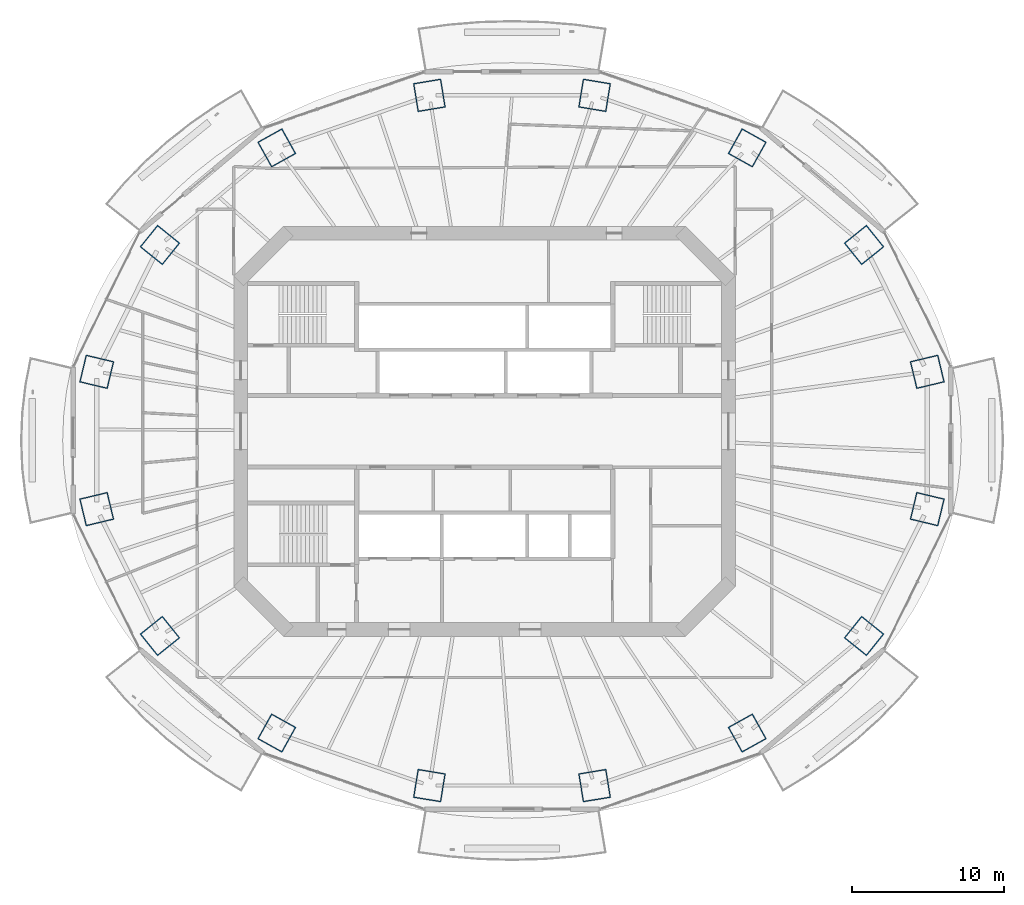
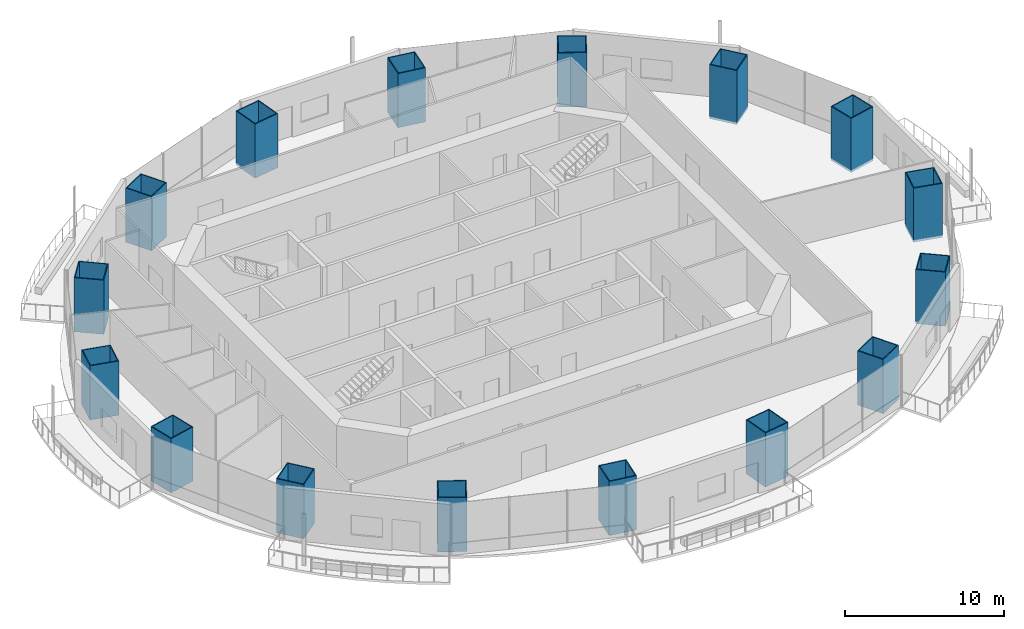
# One storey, part 1 of 18: 16 columns.
"""IFC4 building model written with IfcOpenShell, lengths in metres."""

from ifc_helpers import new_model, si_unit, direction, frame, origin, origin_2d, place, context, subcontext, project, spatial, rectangle, hollow_rectangle, extrude, material, material_profile, profile_set, type_object, element, save


model = new_model("IFC4")

# Units and contexts
model_context = context("Model", 3, precision=1e-05, world=origin(), true_north=direction((0.0, 1.0)))
body_context = subcontext(model_context, "Body", "Model", "MODEL_VIEW")
ifc_project = project(units=[si_unit("LENGTHUNIT", "METRE"), si_unit("AREAUNIT", "SQUARE_METRE"), si_unit("VOLUMEUNIT", "CUBIC_METRE"), si_unit("PLANEANGLEUNIT", "RADIAN"), si_unit("MASSUNIT", "GRAM", prefix="KILO")], contexts=[model_context])

# Site, building, storey
site_placement = place(None, origin())
site = spatial("IfcSite", under=ifc_project, at=site_placement, CompositionType="ELEMENT")
building_placement = place(site_placement, origin())
building = spatial("IfcBuilding", under=site, at=building_placement, Name="Marenthal Gate Tower", CompositionType="ELEMENT")
storey_placement = place(building_placement, frame((0.0, 0.0, 264.800048828125)))
storey = spatial("IfcBuildingStorey", under=building, at=storey_placement, Name="L59", CompositionType="ELEMENT", Elevation=264.800048828125)

# Columns
ifc_material_1 = material(Name="Steel S460", Category="steel")
ifc_material_profile_1 = material_profile(ifc_material_1, hollow_rectangle(XDim=1.85009765625, YDim=1.89990234375, WallThickness=0.06494140625, at=origin_2d()), Name="CFT BOX 1900X1850X65")
ifc_material_2 = material(Name="Concrete 70 MPa", Category="concrete")
ifc_material_profile_2 = material_profile(ifc_material_2, rectangle(XDim=1.719970703125, YDim=1.77001953125, at=origin_2d()), Name="CFT BOX 1900X1850X65 INFILL")
ifc_profile_set = profile_set([ifc_material_profile_1, ifc_material_profile_2], Name="Steel S460 shell, Concrete 70 MPa infill")
column_type = type_object("IfcColumnType", Name="CFT BOX 1900X1850X65", PredefinedType="COLUMN", material=ifc_profile_set)
for number, where, z_axis, x_axis, name in (
    (1, (29.047119140625, 3.904296875, -0.179931640625), (0.0, 0.0, 1.0), (0.232769859533, -0.972531846519, 0.0), "COL-L59-01"),
    (2, (24.899169921875, 12.22705078125, -0.179931640625), (0.0, 0.0, 1.0), (0.626592929693, -0.779346713895, 0.0), "COL-L59-02"),
    (3, (17.234375, 18.596923828125, -0.179931640625), (0.0, 0.0, 1.0), (0.874250531492, -0.485475033534, 0.0), "COL-L59-03"),
    (4, (7.2197265625, 22.04443359375, -0.179931640625), (0.0, 0.0, 1.0), (0.986610047685, -0.163096946041, 0.0), "COL-L59-04"),
    (5, (-3.619873046875, 22.04443359375, -0.179931640625), (0.0, 0.0, 1.0), (0.986610047685, 0.163096946041, 0.0), "COL-L59-05"),
    (6, (-13.63427734375, 18.596923828125, -0.179931640625), (0.0, 0.0, 1.0), (0.874250531492, 0.485475033534, 0.0), "COL-L59-06"),
    (7, (-21.299072265625, 12.22705078125, -0.179931640625), (0.0, 0.0, 1.0), (0.626592929693, 0.779346713895, 0.0), "COL-L59-07"),
    (8, (-25.447265625, 3.904296875, -0.179931640625), (0.0, 0.0, 1.0), (0.232769859533, 0.972531846519, 0.0), "COL-L59-08"),
    (9, (-25.447265625, -5.104248046875, -0.179931640625), (0.0, 0.0, 1.0), (-0.232769859533, 0.972531846519, 0.0), "COL-L59-09"),
    (10, (-21.299072265625, -13.427001953125, -0.179931640625), (0.0, 0.0, 1.0), (-0.626592929693, 0.779346713895, 0.0), "COL-L59-10"),
    (11, (-13.63427734375, -19.797119140625, -0.179931640625), (0.0, 0.0, 1.0), (-0.874250531492, 0.485475033534, 0.0), "COL-L59-11"),
    (12, (-3.619873046875, -23.244384765625, -0.179931640625), (0.0, 0.0, 1.0), (-0.986610047685, 0.163096946041, 0.0), "COL-L59-12"),
    (13, (7.2197265625, -23.244384765625, -0.179931640625), (0.0, 0.0, 1.0), (-0.986610047685, -0.163096946041, 0.0), "COL-L59-13"),
    (14, (17.234375, -19.797119140625, -0.179931640625), (0.0, 0.0, 1.0), (-0.874250531492, -0.485475033534, 0.0), "COL-L59-14"),
    (15, (24.899169921875, -13.427001953125, -0.179931640625), (0.0, 0.0, 1.0), (-0.626592929693, -0.779346713895, 0.0), "COL-L59-15"),
    (16, (29.047119140625, -5.104248046875, -0.179931640625), (0.0, 0.0, 1.0), (-0.232769859533, -0.972531846519, 0.0), "COL-L59-16"),
):
    element("IfcColumn", number, at=place(storey_placement, frame(where, z_axis=z_axis, x_axis=x_axis)), inside=storey, type_object=column_type, Name=name, PredefinedType="COLUMN", context=body_context, shape_type="SweptSolid", body=[
        extrude(hollow_rectangle(XDim=1.85009765625, YDim=1.89990234375, WallThickness=0.06494140625, at=origin_2d()), origin(), (0.0, 0.0, 1.0), 4.14990234375),
    ])

save(model, "model.ifc")
